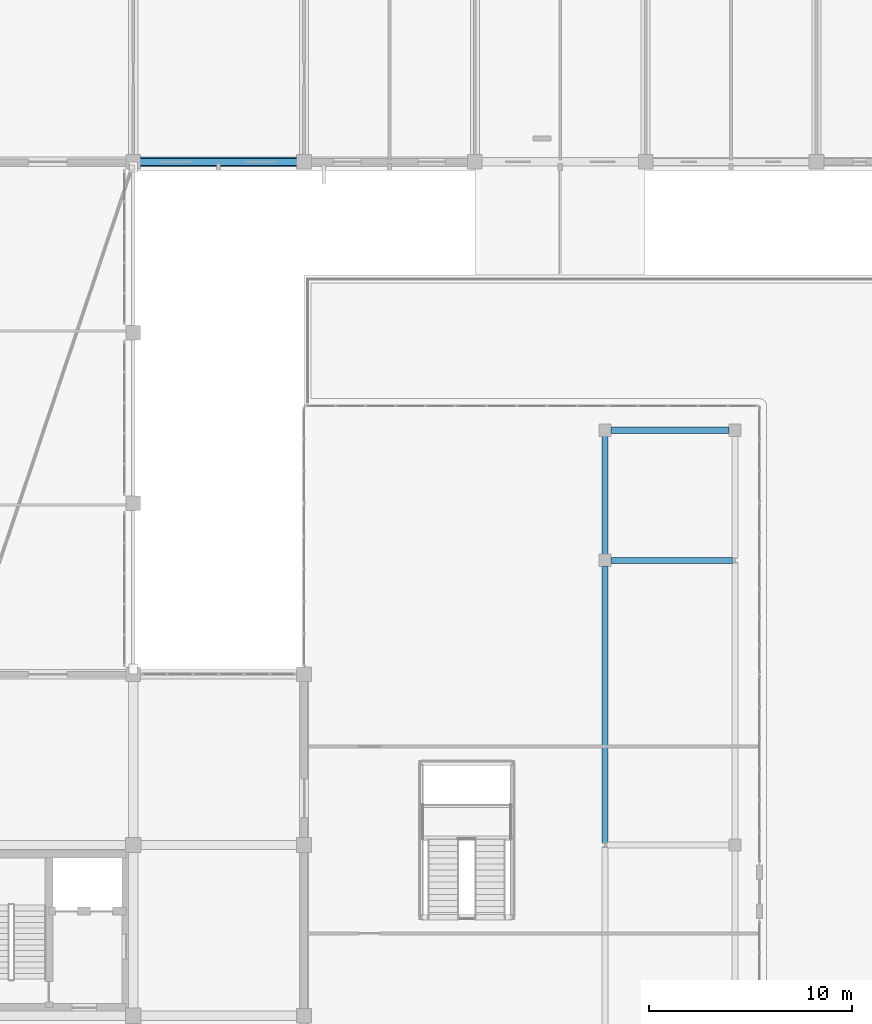
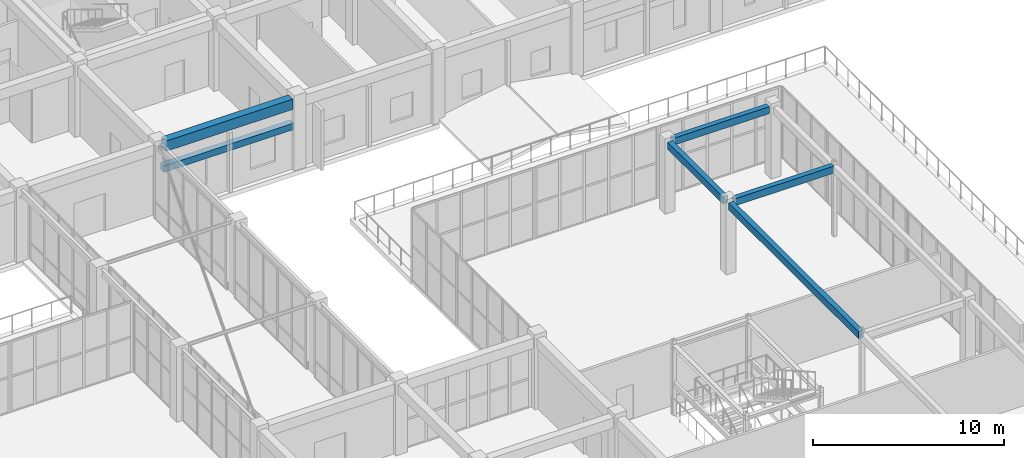
# One storey, part 78 of 158: 6 beams.
"""IFC4 building model written with IfcOpenShell, lengths in metres."""

from ifc_helpers import new_model, si_unit, direction, frame, origin, origin_2d, place, context, subcontext, project, spatial, rectangle, extrude, material, material_profile, profile_set, type_object, element, save


model = new_model("IFC4")

# Units and contexts
model_context = context("Model", 3, precision=1e-05, world=origin(), true_north=direction((0.0, 1.0)))
body_context = subcontext(model_context, "Body", "Model", "MODEL_VIEW")
ifc_project = project(units=[si_unit("LENGTHUNIT", "METRE"), si_unit("AREAUNIT", "SQUARE_METRE"), si_unit("VOLUMEUNIT", "CUBIC_METRE"), si_unit("PLANEANGLEUNIT", "RADIAN"), si_unit("MASSUNIT", "GRAM", prefix="KILO")], contexts=[model_context])

# Site, building, storey
site_placement = place(None, origin())
site = spatial("IfcSite", under=ifc_project, at=site_placement, CompositionType="ELEMENT")
building_placement = place(site_placement, origin())
building = spatial("IfcBuilding", under=site, at=building_placement, Name="Trelvath General Hospital", CompositionType="ELEMENT")
storey_placement = place(building_placement, frame((0.0, 0.0, 8.10009765625)))
storey = spatial("IfcBuildingStorey", under=building, at=storey_placement, Name="L02", CompositionType="ELEMENT", Elevation=8.10009765625)

# Beams
ifc_material_1 = material(Name="Concrete C35/45", Category="concrete")
ifc_material_profile_1 = material_profile(ifc_material_1, rectangle(XDim=0.300048828125, YDim=0.449951171875, at=origin_2d()), Name="RCB300x450")
ifc_profile_set_1 = profile_set([ifc_material_profile_1], Name="Concrete C35/45")
beam_type_1 = type_object("IfcBeamType", Name="Beam RC300x450", PredefinedType="BEAM", material=ifc_profile_set_1)
beam_1_placement = place(storey_placement, frame((107.49609375, 72.800048828125, 4.3349609375), z_axis=(1.0, 0.0, 0.0), x_axis=(0.0, 1.0, 0.0)))
element("IfcBeam", 1, at=beam_1_placement, inside=storey, type_object=beam_type_1, Name="Cube Interior Ring Beam CUBE-E-T1 L02", PredefinedType="BEAM", context=body_context, shape_type="SweptSolid", body=[
    extrude(rectangle(XDim=0.300048828125, YDim=0.449951171875, at=origin_2d()), origin(), (0.0, 0.0, 1.0), 5.997802734375),
])
beam_2_placement = place(storey_placement, frame((107.49609375, 79.199951171875, 4.3349609375), z_axis=(1.0, 0.0, 0.0), x_axis=(0.0, 1.0, 0.0)))
element("IfcBeam", 2, at=beam_2_placement, inside=storey, type_object=beam_type_1, Name="Cube Interior Ring Beam CUBE-E-T1 L02", PredefinedType="BEAM", context=body_context, shape_type="SweptSolid", body=[
    extrude(rectangle(XDim=0.300048828125, YDim=0.449951171875, at=origin_2d()), origin(), (0.0, 0.0, 1.0), 5.807861328125),
])
beam_3_placement = place(storey_placement, frame((107.199951171875, 58.906005859375, 4.3349609375), z_axis=(0.0, 1.0, 0.0), x_axis=(-1.0, 0.0, 0.0)))
element("IfcBeam", 3, at=beam_3_placement, inside=storey, type_object=beam_type_1, Name="Cube Interior Ring Beam CUBE-E-T1 L02", PredefinedType="BEAM", context=body_context, shape_type="SweptSolid", body=[
    extrude(rectangle(XDim=0.300048828125, YDim=0.449951171875, at=origin_2d()), origin(), (0.0, 0.0, 1.0), 13.597900390625),
])
beam_4_placement = place(storey_placement, frame((107.199951171875, 73.095947265625, 4.3349609375), z_axis=(0.0, 1.0, 0.0), x_axis=(-1.0, 0.0, 0.0)))
element("IfcBeam", 4, at=beam_4_placement, inside=storey, type_object=beam_type_1, Name="Cube Interior Ring Beam CUBE-E-T1 L02", PredefinedType="BEAM", context=body_context, shape_type="SweptSolid", body=[
    extrude(rectangle(XDim=0.300048828125, YDim=0.449951171875, at=origin_2d()), origin(), (0.0, 0.0, 1.0), 5.80810546875),
])
ifc_material_2 = material(Name="Concrete C35/45", Category="concrete")
ifc_material_profile_2 = material_profile(ifc_material_2, rectangle(XDim=0.4599609375, YDim=0.659912109375, at=origin_2d()), Name="RCB460x660")
ifc_profile_set_2 = profile_set([ifc_material_profile_2], Name="Concrete C35/45")
beam_type_2 = type_object("IfcBeamType", Name="Beam RC460x660", PredefinedType="BEAM", material=ifc_profile_set_2)
beam_5_placement = place(storey_placement, frame((84.35498046875, 92.39990234375, 4.18994140625), z_axis=(1.0, 0.0, 0.0), x_axis=(0.0, 1.0, 0.0)))
element("IfcBeam", 5, at=beam_5_placement, inside=storey, type_object=beam_type_2, Name="Grid Beam BX-210L", PredefinedType="BEAM", context=body_context, shape_type="SweptSolid", body=[
    extrude(rectangle(XDim=0.4599609375, YDim=0.659912109375, at=origin_2d()), origin(), (0.0, 0.0, 1.0), 7.68994140625),
])
ifc_material_3 = material(Name="Precast concrete C40/50", Category="concrete")
ifc_material_profile_3 = material_profile(ifc_material_3, rectangle(XDim=0.35009765625, YDim=0.419921875, at=origin_2d()), Name="PCL350x420")
ifc_profile_set_3 = profile_set([ifc_material_profile_3], Name="Precast concrete C40/50")
beam_type_3 = type_object("IfcBeamType", Name="Lintel PC350x420", PredefinedType="LINTEL", material=ifc_profile_set_3)
beam_6_placement = place(storey_placement, frame((92.125, 92.39990234375, 2.719970703125), z_axis=(-1.0, 0.0, 0.0), x_axis=(0.0, -1.0, 0.0)))
element("IfcBeam", 6, at=beam_6_placement, inside=storey, type_object=beam_type_3, Name="Precast Window Brow Lintel L02-280", PredefinedType="LINTEL", context=body_context, shape_type="SweptSolid", body=[
    extrude(rectangle(XDim=0.35009765625, YDim=0.419921875, at=origin_2d()), origin(), (0.0, 0.0, 1.0), 7.85009765625),
])

save(model, "model.ifc")
